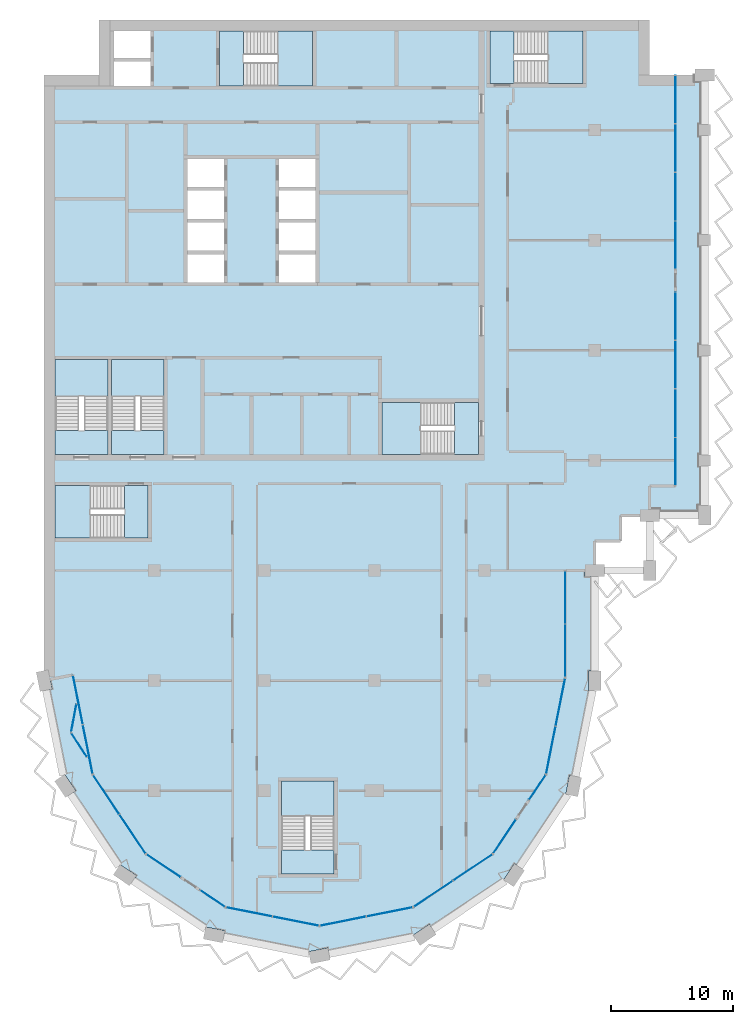
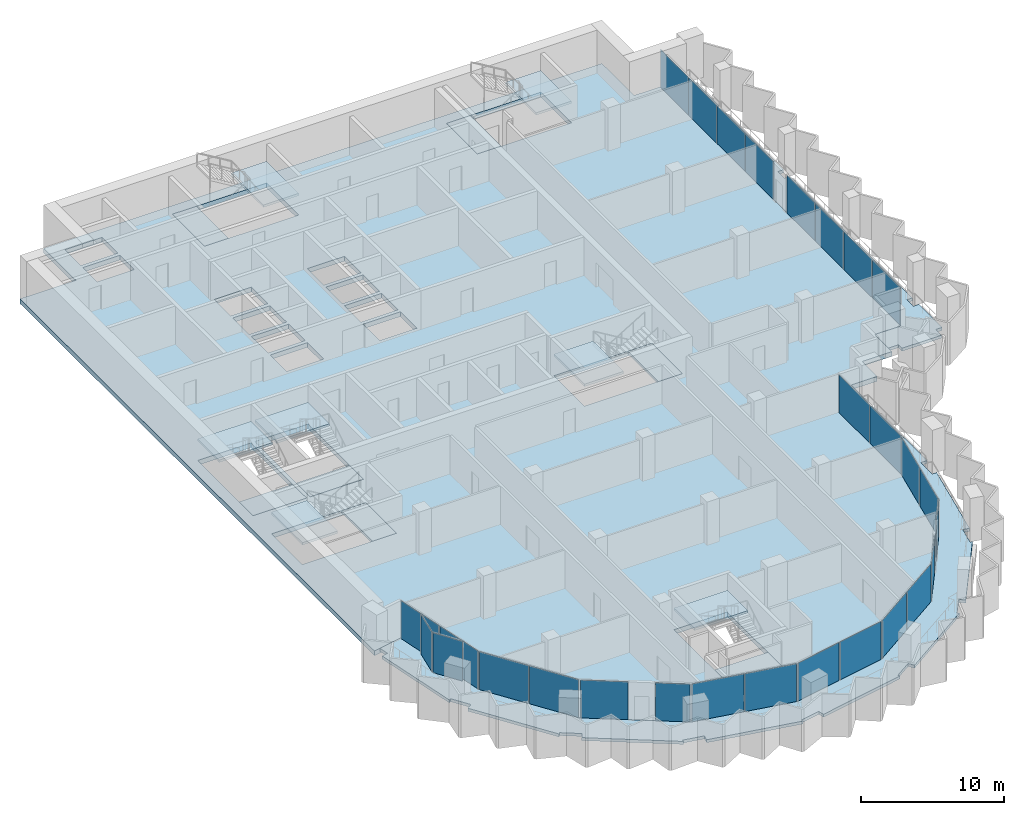
# One storey, part 7 of 17: 28 plates, 17 slabs, 22 elements without a shape of their own.
"""IFC4 building model written with IfcOpenShell, lengths in metres."""

from ifc_helpers import new_model, si_unit, direction, frame, origin, origin_2d, place, context, subcontext, project, spatial, polyline, rectangle, outline, extrude, material, layer, layer_set, type_object, element, aggregate, save


model = new_model("IFC4")

# Units and contexts
model_context = context("Model", 3, precision=1e-05, world=origin(), true_north=direction((0.0, 1.0)))
body_context = subcontext(model_context, "Body", "Model", "MODEL_VIEW")
ifc_project = project(units=[si_unit("LENGTHUNIT", "METRE"), si_unit("AREAUNIT", "SQUARE_METRE"), si_unit("VOLUMEUNIT", "CUBIC_METRE"), si_unit("PLANEANGLEUNIT", "RADIAN"), si_unit("MASSUNIT", "GRAM", prefix="KILO")], contexts=[model_context])

# Site, building, storey
site_placement = place(None, origin())
site = spatial("IfcSite", under=ifc_project, at=site_placement, CompositionType="ELEMENT")
building_placement = place(site_placement, origin())
building = spatial("IfcBuilding", under=site, at=building_placement, Name="Hunhe Ridgeline Campus", CompositionType="ELEMENT")
storey_placement = place(building_placement, frame((0.0, 0.0, 265.10009765625)))
storey = spatial("IfcBuildingStorey", under=building, at=storey_placement, Name="L68", CompositionType="ELEMENT", Elevation=265.10009765625)

# Curtain wall, plates
ifc_material_1 = material(Name="Aluminium 6063", Category="aluminium")
curtain_wall_type_1 = type_object("IfcCurtainWallType", Name="Curtain wall CW-5", PredefinedType="NOTDEFINED", material=ifc_material_1)
curtain_wall_1_placement = place(storey_placement, origin())
curtain_wall_1 = element("IfcCurtainWall", 1, at=curtain_wall_1_placement, inside=storey, type_object=curtain_wall_type_1, Name="Curtain wall 01", PredefinedType="NOTDEFINED")
ifc_material_2 = material(Name="Low-e laminated glass", Category="glass")
ifc_layer_1 = layer(ifc_material_2, 0.028076171875)
ifc_layer_set_1 = layer_set([ifc_layer_1], Name="Curtain wall glass panel 28 low-e laminated")
plate_type = type_object("IfcPlateType", Name="Curtain wall glass panel 28 low-e laminated", PredefinedType="CURTAIN_PANEL", material=ifc_layer_set_1)
plate_1_placement = place(storey_placement, frame((2.76318359375, 43.416015625, 0.0), z_axis=(0.0, 0.0, 1.0), x_axis=(0.195095347137, -0.980784280831, 0.0)))
plate_1 = element("IfcPlate", 2, at=plate_1_placement, type_object=plate_type, Name="CW-5 panel 1", PredefinedType="CURTAIN_PANEL", context=body_context, shape_type="SweptSolid", body=[
    extrude(rectangle(XDim=4.0458984375, YDim=0.028076171875, at=origin_2d()), origin(), (0.0, 0.0, 1.0), 3.22998046875),
])
plate_2_placement = place(storey_placement, frame((3.566162109375, 39.379150390625, 0.0), z_axis=(0.0, 0.0, 1.0), x_axis=(0.195095347137, -0.980784280831, 0.0)))
plate_2 = element("IfcPlate", 3, at=plate_2_placement, type_object=plate_type, Name="CW-5 panel 2", PredefinedType="CURTAIN_PANEL", context=body_context, shape_type="SweptSolid", body=[
    extrude(rectangle(XDim=4.0458984375, YDim=0.028076171875, at=origin_2d()), origin(), (0.0, 0.0, 1.0), 3.22998046875),
])
aggregate(curtain_wall_1, [plate_1, plate_2])

# Curtain wall, plate
curtain_wall_type_2 = type_object("IfcCurtainWallType", Name="Curtain wall CW-2", PredefinedType="NOTDEFINED", material=ifc_material_1)
curtain_wall_2_placement = place(storey_placement, origin())
curtain_wall_2 = element("IfcCurtainWall", 4, at=curtain_wall_2_placement, inside=storey, type_object=curtain_wall_type_2, Name="Curtain wall B01a", PredefinedType="NOTDEFINED")
plate_3_placement = place(storey_placement, frame((2.4248046875, 41.938720703125, 0.0), z_axis=(0.0, 0.0, 1.0), x_axis=(-0.183112559813, -0.983091954213, 0.0)))
plate_3 = element("IfcPlate", 5, at=plate_3_placement, type_object=plate_type, Name="CW-2 panel 1", PredefinedType="CURTAIN_PANEL", context=body_context, shape_type="SweptSolid", body=[
    extrude(rectangle(XDim=2.30322265625, YDim=0.028076171875, at=origin_2d()), origin(), (0.0, 0.0, 1.0), 3.389892578125),
])
aggregate(curtain_wall_2, [plate_3])

curtain_wall_3_placement = place(storey_placement, origin())
curtain_wall_3 = element("IfcCurtainWall", 6, at=curtain_wall_3_placement, inside=storey, type_object=curtain_wall_type_2, Name="Curtain wall B01b", PredefinedType="NOTDEFINED")
plate_4_placement = place(storey_placement, frame((2.86376953125, 39.73193359375, 0.0), z_axis=(0.0, 0.0, 1.0), x_axis=(0.545395474403, -0.838178845176, 0.0)))
plate_4 = element("IfcPlate", 7, at=plate_4_placement, type_object=plate_type, Name="CW-2 panel 1", PredefinedType="CURTAIN_PANEL", context=body_context, shape_type="SweptSolid", body=[
    extrude(rectangle(XDim=2.30322265625, YDim=0.028076171875, at=origin_2d()), origin(), (0.0, 0.0, 1.0), 3.389892578125),
])
aggregate(curtain_wall_3, [plate_4])

# Curtain wall, plates
curtain_wall_4_placement = place(storey_placement, origin())
curtain_wall_4 = element("IfcCurtainWall", 8, at=curtain_wall_4_placement, inside=storey, type_object=curtain_wall_type_1, Name="Curtain wall 02", PredefinedType="NOTDEFINED")
plate_5_placement = place(storey_placement, frame((5.07080078125, 35.685546875, 0.0), z_axis=(0.0, 0.0, 1.0), x_axis=(0.555570274596, -0.831469584522, 0.0)))
plate_5 = element("IfcPlate", 9, at=plate_5_placement, type_object=plate_type, Name="CW-5 panel 1", PredefinedType="CURTAIN_PANEL", context=body_context, shape_type="SweptSolid", body=[
    extrude(rectangle(XDim=3.806884765625, YDim=0.028076171875, at=origin_2d()), origin(), (0.0, 0.0, 1.0), 3.22998046875),
])
plate_6_placement = place(storey_placement, frame((7.224609375, 32.4619140625, 0.0), z_axis=(0.0, 0.0, 1.0), x_axis=(0.555570274596, -0.831469584522, 0.0)))
plate_6 = element("IfcPlate", 10, at=plate_6_placement, type_object=plate_type, Name="CW-5 panel 2", PredefinedType="CURTAIN_PANEL", context=body_context, shape_type="SweptSolid", body=[
    extrude(rectangle(XDim=3.806884765625, YDim=0.028076171875, at=origin_2d()), origin(), (0.0, 0.0, 1.0), 3.22998046875),
])
aggregate(curtain_wall_4, [plate_5, plate_6])

# Curtain wall, plate
curtain_wall_5_placement = place(storey_placement, origin())
curtain_wall_5 = element("IfcCurtainWall", 11, at=curtain_wall_5_placement, inside=storey, type_object=curtain_wall_type_1, Name="Curtain wall 03", PredefinedType="NOTDEFINED")
plate_7_placement = place(storey_placement, frame((9.76025390625, 29.859375, 0.0), z_axis=(0.0, 0.0, 1.0), x_axis=(0.831469595944, -0.555570257501, 0.0)))
plate_7 = element("IfcPlate", 12, at=plate_7_placement, type_object=plate_type, Name="CW-5 panel 1", PredefinedType="CURTAIN_PANEL", context=body_context, shape_type="SweptSolid", body=[
    extrude(rectangle(XDim=3.322021484375, YDim=0.028076171875, at=origin_2d()), origin(), (0.0, 0.0, 1.0), 3.22998046875),
])
aggregate(curtain_wall_5, [plate_7])

curtain_wall_6_placement = place(storey_placement, origin())
curtain_wall_6 = element("IfcCurtainWall", 13, at=curtain_wall_6_placement, inside=storey, type_object=curtain_wall_type_1, Name="Curtain wall 04", PredefinedType="NOTDEFINED")
plate_8_placement = place(storey_placement, frame((13.761474609375, 27.18603515625, 0.0), z_axis=(0.0, 0.0, 1.0), x_axis=(0.831469510353, -0.555570385598, 0.0)))
plate_8 = element("IfcPlate", 14, at=plate_8_placement, type_object=plate_type, Name="CW-5 panel 1", PredefinedType="CURTAIN_PANEL", context=body_context, shape_type="SweptSolid", body=[
    extrude(rectangle(XDim=2.421875, YDim=0.028076171875, at=origin_2d()), origin(), (0.0, 0.0, 1.0), 3.22998046875),
])
aggregate(curtain_wall_6, [plate_8])

# Curtain wall, plates
curtain_wall_7_placement = place(storey_placement, origin())
curtain_wall_7 = element("IfcCurtainWall", 15, at=curtain_wall_7_placement, inside=storey, type_object=curtain_wall_type_1, Name="Curtain wall 05", PredefinedType="NOTDEFINED")
plate_9_placement = place(storey_placement, frame((16.761962890625, 26.08935546875, 0.0), z_axis=(0.0, 0.0, 1.0), x_axis=(0.980785275326, -0.195090347539, 0.0)))
plate_9 = element("IfcPlate", 16, at=plate_9_placement, type_object=plate_type, Name="CW-5 panel 1", PredefinedType="CURTAIN_PANEL", context=body_context, shape_type="SweptSolid", body=[
    extrude(rectangle(XDim=3.806884765625, YDim=0.028076171875, at=origin_2d()), origin(), (0.0, 0.0, 1.0), 3.22998046875),
])
plate_10_placement = place(storey_placement, frame((20.564453125, 25.3330078125, 0.0), z_axis=(0.0, 0.0, 1.0), x_axis=(0.980785275326, -0.195090347539, 0.0)))
plate_10 = element("IfcPlate", 17, at=plate_10_placement, type_object=plate_type, Name="CW-5 panel 2", PredefinedType="CURTAIN_PANEL", context=body_context, shape_type="SweptSolid", body=[
    extrude(rectangle(XDim=3.806884765625, YDim=0.028076171875, at=origin_2d()), origin(), (0.0, 0.0, 1.0), 3.22998046875),
])
aggregate(curtain_wall_7, [plate_9, plate_10])

curtain_wall_8_placement = place(storey_placement, origin())
curtain_wall_8 = element("IfcCurtainWall", 18, at=curtain_wall_8_placement, inside=storey, type_object=curtain_wall_type_1, Name="Curtain wall 06", PredefinedType="NOTDEFINED")
plate_11_placement = place(storey_placement, frame((24.435546875, 25.3330078125, 0.0), z_axis=(0.0, 0.0, 1.0), x_axis=(0.980785275326, 0.195090347539, 0.0)))
plate_11 = element("IfcPlate", 19, at=plate_11_placement, type_object=plate_type, Name="CW-5 panel 1", PredefinedType="CURTAIN_PANEL", context=body_context, shape_type="SweptSolid", body=[
    extrude(rectangle(XDim=3.806884765625, YDim=0.028076171875, at=origin_2d()), origin(), (0.0, 0.0, 1.0), 3.22998046875),
])
plate_12_placement = place(storey_placement, frame((28.238037109375, 26.08935546875, 0.0), z_axis=(0.0, 0.0, 1.0), x_axis=(0.980785275326, 0.195090347539, 0.0)))
plate_12 = element("IfcPlate", 20, at=plate_12_placement, type_object=plate_type, Name="CW-5 panel 2", PredefinedType="CURTAIN_PANEL", context=body_context, shape_type="SweptSolid", body=[
    extrude(rectangle(XDim=3.806884765625, YDim=0.028076171875, at=origin_2d()), origin(), (0.0, 0.0, 1.0), 3.22998046875),
])
aggregate(curtain_wall_8, [plate_11, plate_12])

curtain_wall_9_placement = place(storey_placement, origin())
curtain_wall_9 = element("IfcCurtainWall", 21, at=curtain_wall_9_placement, inside=storey, type_object=curtain_wall_type_1, Name="Curtain wall 07", PredefinedType="NOTDEFINED")
plate_13_placement = place(storey_placement, frame((31.814453125, 27.57080078125, 0.0), z_axis=(0.0, 0.0, 1.0), x_axis=(0.831469584522, 0.555570274596, 0.0)))
plate_13 = element("IfcPlate", 22, at=plate_13_placement, type_object=plate_type, Name="CW-5 panel 1", PredefinedType="CURTAIN_PANEL", context=body_context, shape_type="SweptSolid", body=[
    extrude(rectangle(XDim=3.806884765625, YDim=0.028076171875, at=origin_2d()), origin(), (0.0, 0.0, 1.0), 3.22998046875),
])
plate_14_placement = place(storey_placement, frame((35.0380859375, 29.724609375, 0.0), z_axis=(0.0, 0.0, 1.0), x_axis=(0.831469584522, 0.555570274596, 0.0)))
plate_14 = element("IfcPlate", 23, at=plate_14_placement, type_object=plate_type, Name="CW-5 panel 2", PredefinedType="CURTAIN_PANEL", context=body_context, shape_type="SweptSolid", body=[
    extrude(rectangle(XDim=3.806884765625, YDim=0.028076171875, at=origin_2d()), origin(), (0.0, 0.0, 1.0), 3.22998046875),
])
aggregate(curtain_wall_9, [plate_13, plate_14])

# Curtain wall, plate
curtain_wall_10_placement = place(storey_placement, origin())
curtain_wall_10 = element("IfcCurtainWall", 24, at=curtain_wall_10_placement, inside=storey, type_object=curtain_wall_type_1, Name="Curtain wall 08", PredefinedType="NOTDEFINED")
plate_15_placement = place(storey_placement, frame((37.640625, 32.26025390625, 0.0), z_axis=(0.0, 0.0, 1.0), x_axis=(0.555570257501, 0.831469595944, 0.0)))
plate_15 = element("IfcPlate", 25, at=plate_15_placement, type_object=plate_type, Name="CW-5 panel 1", PredefinedType="CURTAIN_PANEL", context=body_context, shape_type="SweptSolid", body=[
    extrude(rectangle(XDim=3.322021484375, YDim=0.028076171875, at=origin_2d()), origin(), (0.0, 0.0, 1.0), 3.22998046875),
])
aggregate(curtain_wall_10, [plate_15])

curtain_wall_11_placement = place(storey_placement, origin())
curtain_wall_11 = element("IfcCurtainWall", 26, at=curtain_wall_11_placement, inside=storey, type_object=curtain_wall_type_1, Name="Curtain wall 09", PredefinedType="NOTDEFINED")
plate_16_placement = place(storey_placement, frame((40.31396484375, 36.261474609375, 0.0), z_axis=(0.0, 0.0, 1.0), x_axis=(0.555570385598, 0.831469510353, 0.0)))
plate_16 = element("IfcPlate", 27, at=plate_16_placement, type_object=plate_type, Name="CW-5 panel 1", PredefinedType="CURTAIN_PANEL", context=body_context, shape_type="SweptSolid", body=[
    extrude(rectangle(XDim=2.421875, YDim=0.028076171875, at=origin_2d()), origin(), (0.0, 0.0, 1.0), 3.22998046875),
])
aggregate(curtain_wall_11, [plate_16])

# Curtain wall, plates
curtain_wall_12_placement = place(storey_placement, origin())
curtain_wall_12 = element("IfcCurtainWall", 28, at=curtain_wall_12_placement, inside=storey, type_object=curtain_wall_type_1, Name="Curtain wall 10", PredefinedType="NOTDEFINED")
plate_17_placement = place(storey_placement, frame((41.42236328125, 39.321044921875, 0.0), z_axis=(0.0, 0.0, 1.0), x_axis=(0.195090299215, 0.980785284939, 0.0)))
plate_17 = element("IfcPlate", 29, at=plate_17_placement, type_object=plate_type, Name="CW-5 panel 1", PredefinedType="CURTAIN_PANEL", context=body_context, shape_type="SweptSolid", body=[
    extrude(rectangle(XDim=3.927490234375, YDim=0.028076171875, at=origin_2d()), origin(), (0.0, 0.0, 1.0), 3.22998046875),
])
plate_18_placement = place(storey_placement, frame((42.2021484375, 43.24169921875, 0.0), z_axis=(0.0, 0.0, 1.0), x_axis=(0.195090299215, 0.980785284939, 0.0)))
plate_18 = element("IfcPlate", 30, at=plate_18_placement, type_object=plate_type, Name="CW-5 panel 2", PredefinedType="CURTAIN_PANEL", context=body_context, shape_type="SweptSolid", body=[
    extrude(rectangle(XDim=3.927490234375, YDim=0.028076171875, at=origin_2d()), origin(), (0.0, 0.0, 1.0), 3.22998046875),
])
aggregate(curtain_wall_12, [plate_17, plate_18])

curtain_wall_type_3 = type_object("IfcCurtainWallType", Name="Curtain wall CW-1", PredefinedType="NOTDEFINED", material=ifc_material_1)
curtain_wall_13_placement = place(storey_placement, origin())
curtain_wall_13 = element("IfcCurtainWall", 31, at=curtain_wall_13_placement, inside=storey, type_object=curtain_wall_type_3, Name="Curtain wall 11", PredefinedType="NOTDEFINED")
plate_19_placement = place(storey_placement, frame((42.59912109375, 47.4423828125, 0.0), z_axis=(0.0, 0.0, 1.0), x_axis=(1.9283253e-05, 0.999999999814, 0.0)))
plate_19 = element("IfcPlate", 32, at=plate_19_placement, type_object=plate_type, Name="CW-1 panel 1", PredefinedType="CURTAIN_PANEL", context=body_context, shape_type="SweptSolid", body=[
    extrude(rectangle(XDim=4.2919921875, YDim=0.028076171875, at=origin_2d()), origin(), (0.0, 0.0, 1.0), 3.239990234375),
])
plate_20_placement = place(storey_placement, frame((42.59912109375, 51.79443359375, 0.0), z_axis=(0.0, 0.0, 1.0), x_axis=(1.9283253e-05, 0.999999999814, 0.0)))
plate_20 = element("IfcPlate", 33, at=plate_20_placement, type_object=plate_type, Name="CW-1 panel 2", PredefinedType="CURTAIN_PANEL", context=body_context, shape_type="SweptSolid", body=[
    extrude(rectangle(XDim=4.2919921875, YDim=0.028076171875, at=origin_2d()), origin(), (0.0, 0.0, 1.0), 3.239990234375),
])
aggregate(curtain_wall_13, [plate_19, plate_20])

curtain_wall_14_placement = place(storey_placement, origin())
curtain_wall_14 = element("IfcCurtainWall", 34, at=curtain_wall_14_placement, inside=storey, type_object=curtain_wall_type_3, Name="Curtain wall 12", PredefinedType="NOTDEFINED")
plate_21_placement = place(storey_placement, frame((51.59912109375, 62.9033203125, 0.0), z_axis=(0.0, 0.0, 1.0), x_axis=(0.0, 1.0, 0.0)))
plate_21 = element("IfcPlate", 35, at=plate_21_placement, type_object=plate_type, Name="CW-1 panel 1", PredefinedType="CURTAIN_PANEL", context=body_context, shape_type="SweptSolid", body=[
    extrude(rectangle(XDim=3.884765625, YDim=0.028076171875, at=origin_2d()), origin(), (0.0, 0.0, 1.0), 3.239990234375),
])
plate_22_placement = place(storey_placement, frame((51.59912109375, 66.86328125, 0.0), z_axis=(0.0, 0.0, 1.0), x_axis=(0.0, 1.0, 0.0)))
plate_22 = element("IfcPlate", 36, at=plate_22_placement, type_object=plate_type, Name="CW-1 panel 2", PredefinedType="CURTAIN_PANEL", context=body_context, shape_type="SweptSolid", body=[
    extrude(rectangle(XDim=3.914794921875, YDim=0.028076171875, at=origin_2d()), origin(), (0.0, 0.0, 1.0), 3.239990234375),
])
plate_23_placement = place(storey_placement, frame((51.59912109375, 70.838134765625, 0.0), z_axis=(0.0, 0.0, 1.0), x_axis=(0.0, 1.0, 0.0)))
plate_23 = element("IfcPlate", 37, at=plate_23_placement, type_object=plate_type, Name="CW-1 panel 3", PredefinedType="CURTAIN_PANEL", context=body_context, shape_type="SweptSolid", body=[
    extrude(rectangle(XDim=3.914794921875, YDim=0.028076171875, at=origin_2d()), origin(), (0.0, 0.0, 1.0), 3.239990234375),
])
plate_24_placement = place(storey_placement, frame((51.59912109375, 74.798095703125, 0.0), z_axis=(0.0, 0.0, 1.0), x_axis=(0.0, 1.0, 0.0)))
plate_24 = element("IfcPlate", 38, at=plate_24_placement, type_object=plate_type, Name="CW-1 panel 4", PredefinedType="CURTAIN_PANEL", context=body_context, shape_type="SweptSolid", body=[
    extrude(rectangle(XDim=3.884765625, YDim=0.028076171875, at=origin_2d()), origin(), (0.0, 0.0, 1.0), 3.239990234375),
])
aggregate(curtain_wall_14, [plate_21, plate_22, plate_23, plate_24])

curtain_wall_15_placement = place(storey_placement, origin())
curtain_wall_15 = element("IfcCurtainWall", 39, at=curtain_wall_15_placement, inside=storey, type_object=curtain_wall_type_3, Name="Curtain wall 13", PredefinedType="NOTDEFINED")
plate_25_placement = place(storey_placement, frame((51.59912109375, 80.60302734375, 0.0), z_axis=(0.0, 0.0, 1.0), x_axis=(0.0, 1.0, 0.0)))
plate_25 = element("IfcPlate", 40, at=plate_25_placement, type_object=plate_type, Name="CW-1 panel 1", PredefinedType="CURTAIN_PANEL", context=body_context, shape_type="SweptSolid", body=[
    extrude(rectangle(XDim=3.884765625, YDim=0.028076171875, at=origin_2d()), origin(), (0.0, 0.0, 1.0), 3.239990234375),
])
plate_26_placement = place(storey_placement, frame((51.59912109375, 84.562744140625, 0.0), z_axis=(0.0, 0.0, 1.0), x_axis=(0.0, 1.0, 0.0)))
plate_26 = element("IfcPlate", 41, at=plate_26_placement, type_object=plate_type, Name="CW-1 panel 2", PredefinedType="CURTAIN_PANEL", context=body_context, shape_type="SweptSolid", body=[
    extrude(rectangle(XDim=3.914794921875, YDim=0.028076171875, at=origin_2d()), origin(), (0.0, 0.0, 1.0), 3.239990234375),
])
plate_27_placement = place(storey_placement, frame((51.59912109375, 88.53759765625, 0.0), z_axis=(0.0, 0.0, 1.0), x_axis=(0.0, 1.0, 0.0)))
plate_27 = element("IfcPlate", 42, at=plate_27_placement, type_object=plate_type, Name="CW-1 panel 3", PredefinedType="CURTAIN_PANEL", context=body_context, shape_type="SweptSolid", body=[
    extrude(rectangle(XDim=3.914794921875, YDim=0.028076171875, at=origin_2d()), origin(), (0.0, 0.0, 1.0), 3.239990234375),
])
plate_28_placement = place(storey_placement, frame((51.59912109375, 92.49755859375, 0.0), z_axis=(0.0, 0.0, 1.0), x_axis=(0.0, 1.0, 0.0)))
plate_28 = element("IfcPlate", 43, at=plate_28_placement, type_object=plate_type, Name="CW-1 panel 4", PredefinedType="CURTAIN_PANEL", context=body_context, shape_type="SweptSolid", body=[
    extrude(rectangle(XDim=3.884765625, YDim=0.028076171875, at=origin_2d()), origin(), (0.0, 0.0, 1.0), 3.239990234375),
])
aggregate(curtain_wall_15, [plate_25, plate_26, plate_27, plate_28])

# Slabs
ifc_material_3 = material(Name="Concrete C40", Category="concrete")
ifc_layer_2 = layer(ifc_material_3, 0.39990234375)
ifc_layer_set_2 = layer_set([ifc_layer_2], Name="Floor slab 400 Concrete C40")
slab_type_1 = type_object("IfcSlabType", Name="Floor slab 400 Concrete C40", PredefinedType="FLOOR", material=ifc_layer_set_2)
slab_1_placement = place(storey_placement, frame((0.0, 0.0, -0.400146484375)))
element("IfcSlab", 44, at=slab_1_placement, inside=storey, type_object=slab_type_1, Name="Floor slab L68 1", PredefinedType="FLOOR", context=body_context, shape_type="SweptSolid", body=[
    extrude(outline(polyline([(36.678955078125, 30.821044921875), (41.025634765625, 37.326416015625), (42.59912109375, 45.236572265625), (42.59912109375, 54.00048828125), (44.9990234375, 54.0009765625), (44.999267578125, 56.400634765625), (47.09912109375, 56.40087890625), (47.099609375, 58.5009765625), (49.4990234375, 58.5009765625), (49.49951171875, 60.90087890625), (51.59912109375, 60.90087890625), (51.59912109375, 94.5), (49.5, 94.5), (49.5, 99.0), (4.5, 99.0), (4.5, 94.5), (0.0, 94.5), (0.0, 45.0009765625), (2.354736328125, 45.46875), (3.974365234375, 37.326416015625), (8.321044921875, 30.821044921875), (14.826416015625, 26.474365234375), (22.5, 24.947998046875), (30.173583984375, 26.474365234375), (36.678955078125, 30.821044921875)]), holes=[polyline([(36.449951171875, 98.10009765625), (36.449951171875, 93.800048828125), (44.050048828125, 93.800048828125), (44.050048828125, 98.10009765625), (36.449951171875, 98.10009765625)]), polyline([(27.60009765625, 63.5), (35.5, 63.5), (35.5, 67.75), (27.60009765625, 67.75), (27.60009765625, 63.5)]), polyline([(19.39990234375, 36.800048828125), (19.39990234375, 29.199951171875), (23.699951171875, 29.199951171875), (23.699951171875, 36.800048828125), (19.39990234375, 36.800048828125)]), polyline([(22.199951171875, 87.64990234375), (19.199951171875, 87.64990234375), (19.199951171875, 85.35009765625), (22.199951171875, 85.35009765625), (22.199951171875, 87.64990234375)]), polyline([(22.199951171875, 77.550048828125), (22.199951171875, 79.85009765625), (19.199951171875, 79.85009765625), (19.199951171875, 77.550048828125), (22.199951171875, 77.550048828125)]), polyline([(19.199951171875, 85.050048828125), (19.199951171875, 82.75), (22.199951171875, 82.75), (22.199951171875, 85.050048828125), (19.199951171875, 85.050048828125)]), polyline([(19.199951171875, 80.14990234375), (22.199951171875, 80.14990234375), (22.199951171875, 82.449951171875), (19.199951171875, 82.449951171875), (19.199951171875, 80.14990234375)]), polyline([(14.35009765625, 98.10009765625), (14.35009765625, 93.60009765625), (21.949951171875, 93.60009765625), (21.949951171875, 98.10009765625), (14.35009765625, 98.10009765625)]), polyline([(14.699951171875, 87.64990234375), (11.699951171875, 87.64990234375), (11.699951171875, 85.35009765625), (14.699951171875, 85.35009765625), (14.699951171875, 87.64990234375)]), polyline([(14.699951171875, 77.550048828125), (14.699951171875, 79.85009765625), (11.699951171875, 79.85009765625), (11.699951171875, 77.550048828125), (14.699951171875, 77.550048828125)]), polyline([(11.699951171875, 85.050048828125), (11.699951171875, 82.75), (14.699951171875, 82.75), (14.699951171875, 85.050048828125), (11.699951171875, 85.050048828125)]), polyline([(11.699951171875, 80.14990234375), (14.699951171875, 80.14990234375), (14.699951171875, 82.449951171875), (11.699951171875, 82.449951171875), (11.699951171875, 80.14990234375)]), polyline([(9.800048828125, 63.5), (9.800048828125, 71.25), (5.5, 71.25), (5.5, 63.5), (9.800048828125, 63.5)]), polyline([(8.699951171875, 93.60009765625), (8.699951171875, 95.60009765625), (5.699951171875, 95.60009765625), (5.699951171875, 93.60009765625), (8.699951171875, 93.60009765625)]), polyline([(5.699951171875, 95.89990234375), (8.699951171875, 95.89990234375), (8.699951171875, 98.10009765625), (5.699951171875, 98.10009765625), (5.699951171875, 95.89990234375)]), polyline([(0.89990234375, 60.949951171875), (0.89990234375, 56.64990234375), (8.5, 56.64990234375), (8.5, 60.949951171875), (0.89990234375, 60.949951171875)]), polyline([(5.199951171875, 71.25), (0.89990234375, 71.25), (0.89990234375, 63.5), (5.199951171875, 63.5), (5.199951171875, 71.25)])]), origin(), (0.0, 0.0, 1.0), 0.400146484375),
])
ifc_layer_3 = layer(ifc_material_3, 0.25)
ifc_layer_set_3 = layer_set([ifc_layer_3], Name="Loggia slab 250 Concrete C40")
slab_type_2 = type_object("IfcSlabType", Name="Loggia slab 250 Concrete C40", PredefinedType="FLOOR", material=ifc_layer_set_3)
slab_2_placement = place(storey_placement, frame((0.0, 0.0, -0.25)))
element("IfcSlab", 45, at=slab_2_placement, inside=storey, type_object=slab_type_2, Name="Loggia slab 1", PredefinedType="FLOOR", context=body_context, shape_type="SweptSolid", body=[
    extrude(outline(polyline([(30.173828125, 26.473388671875), (22.5, 24.947021484375), (14.826171875, 26.473388671875), (8.3203125, 30.8203125), (3.973388671875, 37.326171875), (2.35400390625, 45.46826171875), (0.490478515625, 45.09765625), (0.646484375, 44.31298828125), (0.156005859375, 44.21533203125), (1.543701171875, 37.239013671875), (1.68408203125, 37.33251953125), (2.572998046875, 36.002197265625), (2.1572265625, 35.724365234375), (6.109130859375, 29.81005859375), (6.20263671875, 29.9501953125), (7.532958984375, 29.061279296875), (7.25537109375, 28.645751953125), (13.169677734375, 24.69384765625), (13.20263671875, 24.859130859375), (14.771728515625, 24.547119140625), (14.67431640625, 24.056640625), (21.650634765625, 22.6689453125), (21.617919921875, 22.834228515625), (23.18701171875, 23.146484375), (23.28466796875, 22.656005859375), (30.260986328125, 24.043701171875), (30.16748046875, 24.18408203125), (31.497802734375, 25.072998046875), (31.775634765625, 24.6572265625), (37.68994140625, 28.609130859375), (37.5498046875, 28.70263671875), (38.438720703125, 30.032958984375), (38.854248046875, 29.75537109375), (42.80615234375, 35.669677734375), (42.640869140625, 35.70263671875), (42.952880859375, 37.271728515625), (43.443359375, 37.17431640625), (44.8408203125, 44.199951171875), (44.5, 44.199951171875), (44.5, 45.800048828125), (45.0, 45.800048828125), (45.0, 53.5), (44.199951171875, 53.5), (44.199951171875, 54.0), (42.60009765625, 54.0), (42.60009765625, 45.236328125), (41.026611328125, 37.326171875), (36.6796875, 30.8203125), (30.173828125, 26.473388671875)])), origin(), (0.0, 0.0, 1.0), 0.25),
])
slab_3_placement = place(storey_placement, frame((0.0, 0.0, -0.25)))
element("IfcSlab", 46, at=slab_3_placement, inside=storey, type_object=slab_type_2, Name="Loggia slab 2", PredefinedType="FLOOR", context=body_context, shape_type="SweptSolid", body=[
    extrude(outline(polyline([(49.5, 59.0), (50.300048828125, 59.0), (50.300048828125, 58.5), (53.5, 58.5), (53.5, 59.300048828125), (54.0, 59.300048828125), (54.0, 62.550048828125), (53.550048828125, 62.550048828125), (53.550048828125, 63.449951171875), (54.0, 63.449951171875), (54.0, 71.550048828125), (53.550048828125, 71.550048828125), (53.550048828125, 72.449951171875), (54.0, 72.449951171875), (54.0, 80.550048828125), (53.550048828125, 80.550048828125), (53.550048828125, 81.449951171875), (54.0, 81.449951171875), (54.0, 89.550048828125), (53.550048828125, 89.550048828125), (53.550048828125, 90.449951171875), (54.0, 90.449951171875), (54.0, 94.0), (53.199951171875, 94.0), (53.199951171875, 94.5), (51.60009765625, 94.5), (51.60009765625, 60.89990234375), (49.5, 60.89990234375), (49.5, 59.0)])), origin(), (0.0, 0.0, 1.0), 0.25),
])

# Stair, slab
stair_type = type_object("IfcStairType", Name="Reinforced concrete dog-leg stair 1950 Concrete C40", PredefinedType="HALF_TURN_STAIR", material=ifc_material_3)
stair_1_placement = place(storey_placement, origin())
stair_1 = element("IfcStair", 47, at=stair_1_placement, inside=storey, type_object=stair_type, Name="L68 S1", PredefinedType="HALF_TURN_STAIR")
ifc_layer_4 = layer(ifc_material_3, 0.199951171875)
ifc_layer_set_4 = layer_set([ifc_layer_4], Name="Reinforced concrete stair landing 200 Concrete C40")
slab_type_3 = type_object("IfcSlabType", Name="Reinforced concrete stair landing 200 Concrete C40", PredefinedType="LANDING", material=ifc_layer_set_4)
slab_4_placement = place(storey_placement, frame((0.0, 0.0, 1.64990234375)))
slab_4 = element("IfcSlab", 48, at=slab_4_placement, type_object=slab_type_3, Name="ST1 landing 1", PredefinedType="LANDING", context=body_context, shape_type="SweptSolid", body=[
    extrude(outline(polyline([(19.10009765625, 93.60009765625), (21.949951171875, 93.60009765625), (21.949951171875, 98.10009765625), (19.10009765625, 98.10009765625), (19.10009765625, 93.60009765625)])), origin(), (0.0, 0.0, 1.0), 0.199951171875),
])
aggregate(stair_1, [slab_4])

# Slab
slab_5_placement = place(storey_placement, frame((0.0, 0.0, -0.2001953125)))
element("IfcSlab", 49, at=slab_5_placement, inside=storey, type_object=slab_type_3, Name="L68 stair S1 floor landing", PredefinedType="LANDING", context=body_context, shape_type="SweptSolid", body=[
    extrude(outline(polyline([(14.35009765625, 93.60009765625), (16.300048828125, 93.60009765625), (16.300048828125, 98.10009765625), (14.35009765625, 98.10009765625), (14.35009765625, 93.60009765625)])), origin(), (0.0, 0.0, 1.0), 0.2001953125),
])

# Stair, slab
stair_2_placement = place(storey_placement, origin())
stair_2 = element("IfcStair", 50, at=stair_2_placement, inside=storey, type_object=stair_type, Name="L68 S2", PredefinedType="HALF_TURN_STAIR")
slab_6_placement = place(storey_placement, frame((0.0, 0.0, 1.64990234375)))
slab_6 = element("IfcSlab", 51, at=slab_6_placement, type_object=slab_type_3, Name="ST2 landing 1", PredefinedType="LANDING", context=body_context, shape_type="SweptSolid", body=[
    extrude(outline(polyline([(30.75, 67.75), (27.60009765625, 67.75), (27.60009765625, 63.5), (30.75, 63.5), (30.75, 67.75)])), origin(), (0.0, 0.0, 1.0), 0.199951171875),
])
aggregate(stair_2, [slab_6])

# Slab
slab_7_placement = place(storey_placement, frame((0.0, 0.0, -0.2001953125)))
element("IfcSlab", 52, at=slab_7_placement, inside=storey, type_object=slab_type_3, Name="L68 stair S2 floor landing", PredefinedType="LANDING", context=body_context, shape_type="SweptSolid", body=[
    extrude(outline(polyline([(35.5, 67.75), (33.550048828125, 67.75), (33.550048828125, 63.5), (35.5, 63.5), (35.5, 67.75)])), origin(), (0.0, 0.0, 1.0), 0.2001953125),
])

# Stair, slab
stair_3_placement = place(storey_placement, origin())
stair_3 = element("IfcStair", 53, at=stair_3_placement, inside=storey, type_object=stair_type, Name="L68 S3", PredefinedType="HALF_TURN_STAIR")
slab_8_placement = place(storey_placement, frame((0.0, 0.0, 1.64990234375)))
slab_8 = element("IfcSlab", 54, at=slab_8_placement, type_object=slab_type_3, Name="ST3 landing 1", PredefinedType="LANDING", context=body_context, shape_type="SweptSolid", body=[
    extrude(outline(polyline([(5.199951171875, 68.25), (5.199951171875, 71.25), (0.89990234375, 71.25), (0.89990234375, 68.25), (5.199951171875, 68.25)])), origin(), (0.0, 0.0, 1.0), 0.199951171875),
])
aggregate(stair_3, [slab_8])

# Slab
slab_9_placement = place(storey_placement, frame((0.0, 0.0, -0.2001953125)))
element("IfcSlab", 55, at=slab_9_placement, inside=storey, type_object=slab_type_3, Name="L68 stair S3 floor landing", PredefinedType="LANDING", context=body_context, shape_type="SweptSolid", body=[
    extrude(outline(polyline([(5.199951171875, 63.5), (5.199951171875, 65.449951171875), (0.89990234375, 65.449951171875), (0.89990234375, 63.5), (5.199951171875, 63.5)])), origin(), (0.0, 0.0, 1.0), 0.2001953125),
])

# Stair, slab
stair_4_placement = place(storey_placement, origin())
stair_4 = element("IfcStair", 56, at=stair_4_placement, inside=storey, type_object=stair_type, Name="L68 S4", PredefinedType="HALF_TURN_STAIR")
slab_10_placement = place(storey_placement, frame((0.0, 0.0, 1.64990234375)))
slab_10 = element("IfcSlab", 57, at=slab_10_placement, type_object=slab_type_3, Name="ST4 landing 1", PredefinedType="LANDING", context=body_context, shape_type="SweptSolid", body=[
    extrude(outline(polyline([(9.800048828125, 68.25), (9.800048828125, 71.25), (5.5, 71.25), (5.5, 68.25), (9.800048828125, 68.25)])), origin(), (0.0, 0.0, 1.0), 0.199951171875),
])
aggregate(stair_4, [slab_10])

# Slab
slab_11_placement = place(storey_placement, frame((0.0, 0.0, -0.2001953125)))
element("IfcSlab", 58, at=slab_11_placement, inside=storey, type_object=slab_type_3, Name="L68 stair S4 floor landing", PredefinedType="LANDING", context=body_context, shape_type="SweptSolid", body=[
    extrude(outline(polyline([(9.800048828125, 63.5), (9.800048828125, 65.449951171875), (5.5, 65.449951171875), (5.5, 63.5), (9.800048828125, 63.5)])), origin(), (0.0, 0.0, 1.0), 0.2001953125),
])

# Stair, slab
stair_5_placement = place(storey_placement, origin())
stair_5 = element("IfcStair", 59, at=stair_5_placement, inside=storey, type_object=stair_type, Name="L68 E1", PredefinedType="HALF_TURN_STAIR")
slab_12_placement = place(storey_placement, frame((0.0, 0.0, 1.64990234375)))
slab_12 = element("IfcSlab", 60, at=slab_12_placement, type_object=slab_type_3, Name="ST5 landing 1", PredefinedType="LANDING", context=body_context, shape_type="SweptSolid", body=[
    extrude(outline(polyline([(41.199951171875, 93.800048828125), (44.050048828125, 93.800048828125), (44.050048828125, 98.10009765625), (41.199951171875, 98.10009765625), (41.199951171875, 93.800048828125)])), origin(), (0.0, 0.0, 1.0), 0.199951171875),
])
aggregate(stair_5, [slab_12])

# Slab
slab_13_placement = place(storey_placement, frame((0.0, 0.0, -0.2001953125)))
element("IfcSlab", 61, at=slab_13_placement, inside=storey, type_object=slab_type_3, Name="L68 stair E1 floor landing", PredefinedType="LANDING", context=body_context, shape_type="SweptSolid", body=[
    extrude(outline(polyline([(36.449951171875, 93.800048828125), (38.39990234375, 93.800048828125), (38.39990234375, 98.10009765625), (36.449951171875, 98.10009765625), (36.449951171875, 93.800048828125)])), origin(), (0.0, 0.0, 1.0), 0.2001953125),
])

# Stair, slab
stair_6_placement = place(storey_placement, origin())
stair_6 = element("IfcStair", 62, at=stair_6_placement, inside=storey, type_object=stair_type, Name="L68 W3", PredefinedType="HALF_TURN_STAIR")
slab_14_placement = place(storey_placement, frame((0.0, 0.0, 1.64990234375)))
slab_14 = element("IfcSlab", 63, at=slab_14_placement, type_object=slab_type_3, Name="ST9 landing 1", PredefinedType="LANDING", context=body_context, shape_type="SweptSolid", body=[
    extrude(outline(polyline([(23.699951171875, 33.949951171875), (23.699951171875, 36.800048828125), (19.39990234375, 36.800048828125), (19.39990234375, 33.949951171875), (23.699951171875, 33.949951171875)])), origin(), (0.0, 0.0, 1.0), 0.199951171875),
])
aggregate(stair_6, [slab_14])

# Slab
slab_15_placement = place(storey_placement, frame((0.0, 0.0, -0.2001953125)))
element("IfcSlab", 64, at=slab_15_placement, inside=storey, type_object=slab_type_3, Name="L68 stair W3 floor landing", PredefinedType="LANDING", context=body_context, shape_type="SweptSolid", body=[
    extrude(outline(polyline([(23.699951171875, 29.199951171875), (23.699951171875, 31.14990234375), (19.39990234375, 31.14990234375), (19.39990234375, 29.199951171875), (23.699951171875, 29.199951171875)])), origin(), (0.0, 0.0, 1.0), 0.2001953125),
])

# Stair, slab
stair_7_placement = place(storey_placement, origin())
stair_7 = element("IfcStair", 65, at=stair_7_placement, inside=storey, type_object=stair_type, Name="L68 W2", PredefinedType="HALF_TURN_STAIR")
slab_16_placement = place(storey_placement, frame((0.0, 0.0, 1.64990234375)))
slab_16 = element("IfcSlab", 66, at=slab_16_placement, type_object=slab_type_3, Name="ST12 landing 1", PredefinedType="LANDING", context=body_context, shape_type="SweptSolid", body=[
    extrude(outline(polyline([(3.75, 60.949951171875), (0.89990234375, 60.949951171875), (0.89990234375, 56.64990234375), (3.75, 56.64990234375), (3.75, 60.949951171875)])), origin(), (0.0, 0.0, 1.0), 0.199951171875),
])
aggregate(stair_7, [slab_16])

# Slab
slab_17_placement = place(storey_placement, frame((0.0, 0.0, -0.2001953125)))
element("IfcSlab", 67, at=slab_17_placement, inside=storey, type_object=slab_type_3, Name="L68 stair W2 floor landing", PredefinedType="LANDING", context=body_context, shape_type="SweptSolid", body=[
    extrude(outline(polyline([(8.5, 60.949951171875), (6.550048828125, 60.949951171875), (6.550048828125, 56.64990234375), (8.5, 56.64990234375), (8.5, 60.949951171875)])), origin(), (0.0, 0.0, 1.0), 0.2001953125),
])

save(model, "model.ifc")
